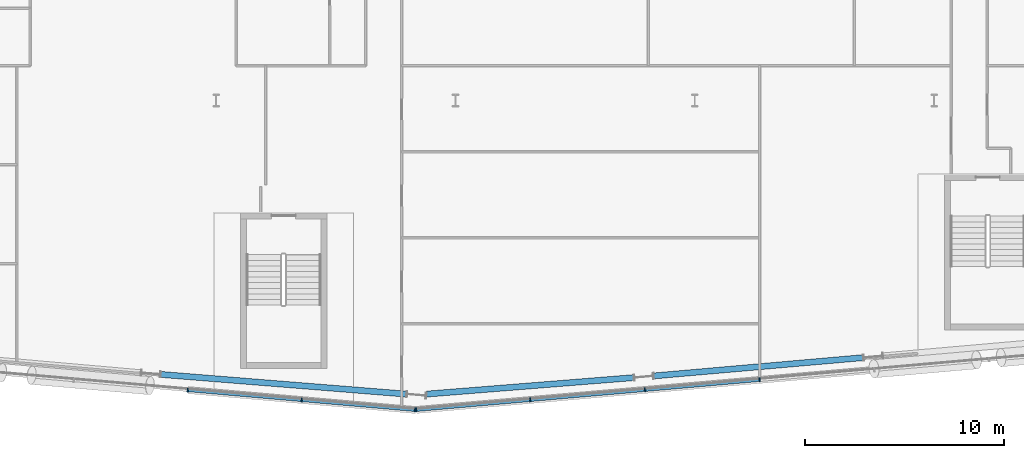
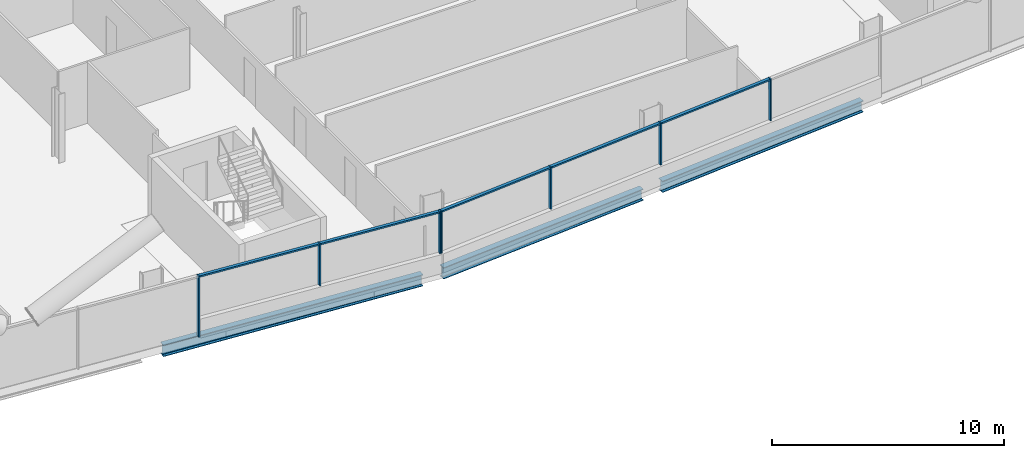
# One storey, part 6 of 27: 12 members, 3 beams, 2 elements without a shape of their own.
"""IFC4 building model written with IfcOpenShell, lengths in metres."""

from ifc_helpers import new_model, si_unit, direction, frame, origin, origin_2d, place, context, subcontext, project, spatial, rectangle, i_section, extrude, material, material_profile, profile_set, type_object, element, aggregate, save


model = new_model("IFC4")

# Units and contexts
model_context = context("Model", 3, precision=1e-05, world=origin(), true_north=direction((0.0, 1.0)))
body_context = subcontext(model_context, "Body", "Model", "MODEL_VIEW")
ifc_project = project(units=[si_unit("LENGTHUNIT", "METRE"), si_unit("AREAUNIT", "SQUARE_METRE"), si_unit("VOLUMEUNIT", "CUBIC_METRE"), si_unit("PLANEANGLEUNIT", "RADIAN"), si_unit("MASSUNIT", "GRAM", prefix="KILO")], contexts=[model_context])

# Site, building, storey
site_placement = place(None, origin())
site = spatial("IfcSite", under=ifc_project, at=site_placement, CompositionType="ELEMENT")
building_placement = place(site_placement, origin())
building = spatial("IfcBuilding", under=site, at=building_placement, Name="Wharfspan Tower", CompositionType="ELEMENT")
storey_placement = place(building_placement, frame((0.0, 0.0, 77.5)))
storey = spatial("IfcBuildingStorey", under=building, at=storey_placement, Name="L16", CompositionType="ELEMENT", Elevation=77.5)

# Beams
ifc_material_1 = material(Name="Steel S355J2", Category="steel")
ifc_material_profile_1 = material_profile(ifc_material_1, i_section(OverallWidth=0.300049, OverallDepth=0.600098, WebThickness=0.015381, FlangeThickness=0.030029, FilletRadius=0.0271, at=origin_2d()))
ifc_profile_set_1 = profile_set([ifc_material_profile_1], Name="Steel S355J2")
beam_type = type_object("IfcBeamType", Name="Edge beam HEB 600", PredefinedType="SPANDREL", material=ifc_profile_set_1)
beam_1_placement = place(storey_placement, frame((33.222656, -2.240479, -0.699951), z_axis=(0.996802, -0.079913, 0.0), x_axis=(0.079913, 0.996802, 0.0)))
element("IfcBeam", 1, at=beam_1_placement, inside=storey, type_object=beam_type, Name="Edge beam S1 L16 PS1.3 to PS1.4", PredefinedType="SPANDREL", context=body_context, shape_type="SweptSolid", body=[
    extrude(i_section(OverallWidth=0.300049, OverallDepth=0.600098, WebThickness=0.015381, FlangeThickness=0.030029, FilletRadius=0.0271, at=origin_2d()), origin(), (0.0, 0.0, 1.0), 12.36084),
])
beam_2_placement = place(storey_placement, frame((46.547852, -3.228027, -0.699951), z_axis=(0.996848, 0.079335, 0.0), x_axis=(-0.079335, 0.996848, 0.0)))
element("IfcBeam", 2, at=beam_2_placement, inside=storey, type_object=beam_type, Name="Edge beam S2 L16 PS1.4 to PS2.1", PredefinedType="SPANDREL", context=body_context, shape_type="SweptSolid", body=[
    extrude(i_section(OverallWidth=0.300049, OverallDepth=0.600098, WebThickness=0.015381, FlangeThickness=0.030029, FilletRadius=0.0271, at=origin_2d()), origin(), (0.0, 0.0, 1.0), 10.429199),
])
beam_3_placement = place(storey_placement, frame((57.940674, -2.317383, -0.699951), z_axis=(0.996195, 0.087155, 0.0), x_axis=(-0.087155, 0.996195, 0.0)))
element("IfcBeam", 3, at=beam_3_placement, inside=storey, type_object=beam_type, Name="Edge beam S2 L16 PS2.1 to PS2.2", PredefinedType="SPANDREL", context=body_context, shape_type="SweptSolid", body=[
    extrude(i_section(OverallWidth=0.300049, OverallDepth=0.600098, WebThickness=0.015381, FlangeThickness=0.030029, FilletRadius=0.0271, at=origin_2d()), origin(), (0.0, 0.0, 1.0), 10.543701),
])

# Curtain wall, members
ifc_material_2 = material(Name="Aluminium 6063-T6", Category="aluminium")
curtain_wall_type = type_object("IfcCurtainWallType", Name="CURTAIN WALL FACETED FRONT", PredefinedType="NOTDEFINED", material=ifc_material_2)
curtain_wall_1_placement = place(storey_placement, origin())
curtain_wall_1 = element("IfcCurtainWall", 4, at=curtain_wall_1_placement, inside=storey, type_object=curtain_wall_type, Name="Curtain wall S1", PredefinedType="NOTDEFINED")
ifc_material_profile_2 = material_profile(ifc_material_2, rectangle(XDim=0.199951, YDim=0.060059, at=origin_2d()))
ifc_profile_set_2 = profile_set([ifc_material_profile_2], Name="Aluminium 6063-T6")
member_type_1 = type_object("IfcMemberType", Name="MULLION FACETED FRONT 60x200", PredefinedType="MULLION", material=ifc_profile_set_2)
member_1_placement = place(storey_placement, frame((34.571533, -3.024658, 0.0), z_axis=(0.0, 0.0, 1.0), x_axis=(0.087156, 0.996197, 0.0)))
member_1 = element("IfcMember", 5, at=member_1_placement, type_object=member_type_1, Name="Curtain wall S1 mullion 6", PredefinedType="MULLION", context=body_context, shape_type="SweptSolid", body=[
    extrude(rectangle(XDim=0.199951, YDim=0.060059, at=origin_2d()), origin(), (0.0, 0.0, 1.0), 3.199951),
])
member_2_placement = place(storey_placement, frame((40.285645, -3.524658, 1.0), z_axis=(0.0, 0.0, 1.0), x_axis=(0.087156, 0.996197, 0.0)))
member_2 = element("IfcMember", 6, at=member_2_placement, type_object=member_type_1, Name="Curtain wall S1 mullion 7", PredefinedType="MULLION", context=body_context, shape_type="SweptSolid", body=[
    extrude(rectangle(XDim=0.199951, YDim=0.060059, at=origin_2d()), origin(), (0.0, 0.0, 1.0), 2.199951),
])
member_3_placement = place(storey_placement, frame((45.970215, -4.021973, 1.0), z_axis=(0.0, 0.0, 1.0), x_axis=(0.087156, 0.996197, 0.0)))
member_3 = element("IfcMember", 7, at=member_3_placement, type_object=member_type_1, Name="Curtain wall S1 mullion 8", PredefinedType="MULLION", context=body_context, shape_type="SweptSolid", body=[
    extrude(rectangle(XDim=0.199951, YDim=0.060059, at=origin_2d()), origin(), (0.0, 0.0, 1.0), 2.199951),
])

curtain_wall_2_placement = place(storey_placement, origin())
curtain_wall_2 = element("IfcCurtainWall", 8, at=curtain_wall_2_placement, inside=storey, type_object=curtain_wall_type, Name="Curtain wall S2", PredefinedType="NOTDEFINED")
member_4_placement = place(storey_placement, frame((46.029785, -4.021973, 1.0), z_axis=(0.0, 0.0, 1.0), x_axis=(-0.087156, 0.996197, 0.0)))
member_4 = element("IfcMember", 9, at=member_4_placement, type_object=member_type_1, Name="Curtain wall S2 mullion 1", PredefinedType="MULLION", context=body_context, shape_type="SweptSolid", body=[
    extrude(rectangle(XDim=0.199951, YDim=0.060059, at=origin_2d()), origin(), (0.0, 0.0, 1.0), 2.199951),
])
member_5_placement = place(storey_placement, frame((51.75, -3.521484, 1.0), z_axis=(0.0, 0.0, 1.0), x_axis=(-0.087156, 0.996197, 0.0)))
member_5 = element("IfcMember", 10, at=member_5_placement, type_object=member_type_1, Name="Curtain wall S2 mullion 2", PredefinedType="MULLION", context=body_context, shape_type="SweptSolid", body=[
    extrude(rectangle(XDim=0.199951, YDim=0.060059, at=origin_2d()), origin(), (0.0, 0.0, 1.0), 2.199951),
])
member_6_placement = place(storey_placement, frame((57.5, -3.018311, 1.0), z_axis=(0.0, 0.0, 1.0), x_axis=(-0.087156, 0.996197, 0.0)))
member_6 = element("IfcMember", 11, at=member_6_placement, type_object=member_type_1, Name="Curtain wall S2 mullion 3", PredefinedType="MULLION", context=body_context, shape_type="SweptSolid", body=[
    extrude(rectangle(XDim=0.199951, YDim=0.060059, at=origin_2d()), origin(), (0.0, 0.0, 1.0), 2.199951),
])
member_7_placement = place(storey_placement, frame((63.25, -2.515381, 1.0), z_axis=(0.0, 0.0, 1.0), x_axis=(-0.087156, 0.996197, 0.0)))
member_7 = element("IfcMember", 12, at=member_7_placement, type_object=member_type_1, Name="Curtain wall S2 mullion 4", PredefinedType="MULLION", context=body_context, shape_type="SweptSolid", body=[
    extrude(rectangle(XDim=0.199951, YDim=0.060059, at=origin_2d()), origin(), (0.0, 0.0, 1.0), 2.199951),
])

# Member
ifc_material_profile_3 = material_profile(ifc_material_2, rectangle(XDim=0.159912, YDim=0.080078, at=origin_2d()))
ifc_profile_set_3 = profile_set([ifc_material_profile_3], Name="Aluminium 6063-T6")
member_type_2 = type_object("IfcMemberType", Name="TRANSOM FACETED FRONT 80x160", PredefinedType="USERDEFINED", material=ifc_profile_set_3)
member_8_placement = place(storey_placement, frame((34.601318, -3.027344, 3.159912), z_axis=(0.996196, -0.087142, 0.0), x_axis=(0.087142, 0.996196, 0.0)))
member_8 = element("IfcMember", 13, at=member_8_placement, type_object=member_type_2, Name="Curtain wall S1 transom 6", ObjectType="TRANSOM", PredefinedType="USERDEFINED", context=body_context, shape_type="SweptSolid", body=[
    extrude(rectangle(XDim=0.159912, YDim=0.080078, at=origin_2d()), origin(), (0.0, 0.0, 1.0), 5.676025),
])

member_9_placement = place(storey_placement, frame((40.315674, -3.5271, 3.159912), z_axis=(0.996193, -0.087174, 0.0), x_axis=(0.087174, 0.996193, 0.0)))
member_9 = element("IfcMember", 14, at=member_9_placement, type_object=member_type_2, Name="Curtain wall S1 transom 7", ObjectType="TRANSOM", PredefinedType="USERDEFINED", context=body_context, shape_type="SweptSolid", body=[
    extrude(rectangle(XDim=0.159912, YDim=0.080078, at=origin_2d()), origin(), (0.0, 0.0, 1.0), 5.645996),
])

aggregate(curtain_wall_1, [member_1, member_2, member_3, member_8, member_9])

member_10_placement = place(storey_placement, frame((46.059814, -4.019287, 3.159912), z_axis=(0.996193, 0.08718, 0.0), x_axis=(-0.08718, 0.996193, 0.0)))
member_10 = element("IfcMember", 15, at=member_10_placement, type_object=member_type_2, Name="Curtain wall S2 transom 1", ObjectType="TRANSOM", PredefinedType="USERDEFINED", context=body_context, shape_type="SweptSolid", body=[
    extrude(rectangle(XDim=0.159912, YDim=0.080078, at=origin_2d()), origin(), (0.0, 0.0, 1.0), 5.682129),
])

member_11_placement = place(storey_placement, frame((51.779785, -3.518799, 3.159912), z_axis=(0.996195, 0.087148, 0.0), x_axis=(-0.087148, 0.996195, 0.0)))
member_11 = element("IfcMember", 16, at=member_11_placement, type_object=member_type_2, Name="Curtain wall S2 transom 2", ObjectType="TRANSOM", PredefinedType="USERDEFINED", context=body_context, shape_type="SweptSolid", body=[
    extrude(rectangle(XDim=0.159912, YDim=0.080078, at=origin_2d()), origin(), (0.0, 0.0, 1.0), 5.712158),
])

member_12_placement = place(storey_placement, frame((57.529785, -3.015625, 3.159912), z_axis=(0.996195, 0.087148, 0.0), x_axis=(-0.087148, 0.996195, 0.0)))
member_12 = element("IfcMember", 17, at=member_12_placement, type_object=member_type_2, Name="Curtain wall S2 transom 3", ObjectType="TRANSOM", PredefinedType="USERDEFINED", context=body_context, shape_type="SweptSolid", body=[
    extrude(rectangle(XDim=0.159912, YDim=0.080078, at=origin_2d()), origin(), (0.0, 0.0, 1.0), 5.712158),
])

aggregate(curtain_wall_2, [member_4, member_5, member_6, member_7, member_10, member_11, member_12])

save(model, "model.ifc")
